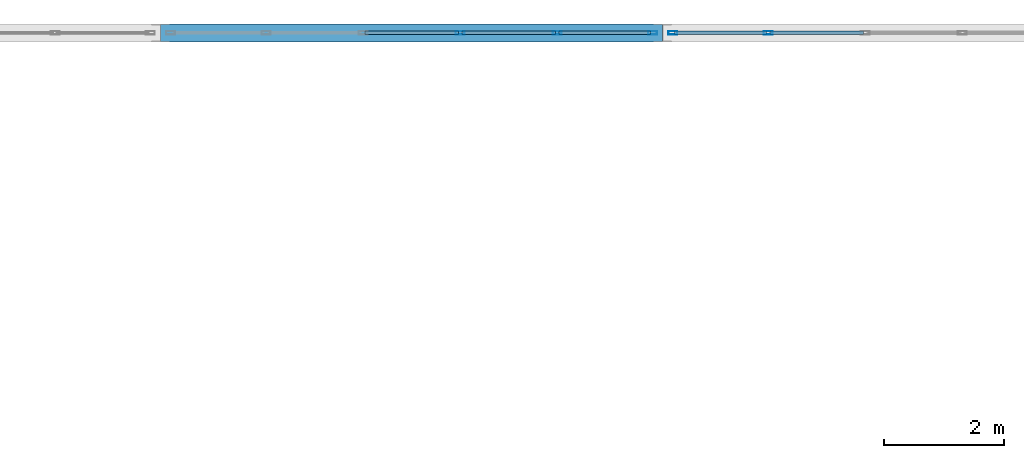
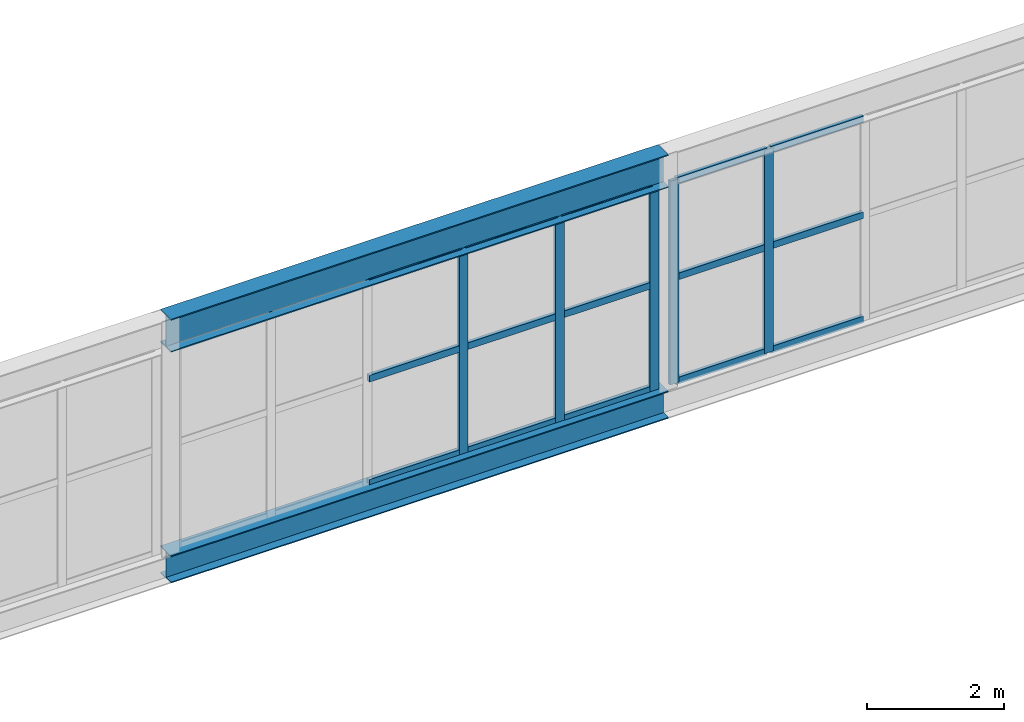
# One storey, part 165 of 218: 20 members, 2 beams, 2 elements without a shape of their own.
"""IFC4 building model written with IfcOpenShell, lengths in metres."""

from ifc_helpers import new_model, si_unit, direction, frame, origin, origin_2d, place, context, subcontext, project, spatial, hollow_rectangle, i_section, extrude, material, material_profile, profile_set, type_object, element, aggregate, save


model = new_model("IFC4")

# Units and contexts
model_context = context("Model", 3, precision=1e-05, world=origin(), true_north=direction((0.0, 1.0)))
body_context = subcontext(model_context, "Body", "Model", "MODEL_VIEW")
ifc_project = project(units=[si_unit("LENGTHUNIT", "METRE"), si_unit("AREAUNIT", "SQUARE_METRE"), si_unit("VOLUMEUNIT", "CUBIC_METRE"), si_unit("PLANEANGLEUNIT", "RADIAN"), si_unit("MASSUNIT", "GRAM", prefix="KILO")], contexts=[model_context])

# Site, building, storey
site_placement = place(None, origin())
site = spatial("IfcSite", under=ifc_project, at=site_placement, CompositionType="ELEMENT")
building_placement = place(site_placement, origin())
building = spatial("IfcBuilding", under=site, at=building_placement, Name="Kazenagashi Tramway Depot", CompositionType="ELEMENT")
storey_placement = place(building_placement, frame((0.0, 0.0, 6.0)))
storey = spatial("IfcBuildingStorey", under=building, at=storey_placement, Name="L02", CompositionType="ELEMENT", Elevation=6.0)

# Curtain wall, members
ifc_material_1 = material(Name="Anodised Aluminium and Low-E Glazing", Category="aluminium")
curtain_wall_type = type_object("IfcCurtainWallType", Name="CW-15", PredefinedType="USERDEFINED", material=ifc_material_1)
curtain_wall_1_placement = place(storey_placement, origin())
curtain_wall_1 = element("IfcCurtainWall", 1, at=curtain_wall_1_placement, inside=storey, type_object=curtain_wall_type, Name="Industrial Glazed Screen CW-15 CW-0068", ObjectType="GLAZED SCREEN", PredefinedType="USERDEFINED")
ifc_material_2 = material(Name="Anodised Aluminium", Category="aluminium")
ifc_material_profile_1 = material_profile(ifc_material_2, hollow_rectangle(XDim=0.06, YDim=0.15, WallThickness=0.004, at=origin_2d()), Name="RHS-150x60x4")
ifc_profile_set_1 = profile_set([ifc_material_profile_1], Name="Anodised Aluminium")
member_type_1 = type_object("IfcMemberType", Name="ML-01", PredefinedType="MULLION", material=ifc_profile_set_1)
member_1_placement = place(storey_placement, frame((91.812, 130.0, -0.02), z_axis=(0.0, 0.0, 1.0), x_axis=(0.0, 1.0, 0.0)))
member_1 = element("IfcMember", 2, at=member_1_placement, type_object=member_type_1, Name="CW-15 mullion 4", PredefinedType="MULLION", context=body_context, shape_type="SweptSolid", body=[
    extrude(hollow_rectangle(XDim=0.06, YDim=0.15, WallThickness=0.004, at=origin_2d()), origin(), (0.0, 0.0, 1.0), 3.632),
])
member_2_placement = place(storey_placement, frame((93.436, 130.0, -0.02), z_axis=(0.0, 0.0, 1.0), x_axis=(0.0, 1.0, 0.0)))
member_2 = element("IfcMember", 3, at=member_2_placement, type_object=member_type_1, Name="CW-15 mullion 5", PredefinedType="MULLION", context=body_context, shape_type="SweptSolid", body=[
    extrude(hollow_rectangle(XDim=0.06, YDim=0.15, WallThickness=0.004, at=origin_2d()), origin(), (0.0, 0.0, 1.0), 3.632),
])
member_3_placement = place(storey_placement, frame((95.03, 130.0, -0.02), z_axis=(0.0, 0.0, 1.0), x_axis=(0.0, 1.0, 0.0)))
member_3 = element("IfcMember", 4, at=member_3_placement, type_object=member_type_1, Name="CW-15 mullion 6", PredefinedType="MULLION", context=body_context, shape_type="SweptSolid", body=[
    extrude(hollow_rectangle(XDim=0.06, YDim=0.15, WallThickness=0.004, at=origin_2d()), origin(), (0.0, 0.0, 1.0), 3.632),
])

curtain_wall_2_placement = place(storey_placement, origin())
curtain_wall_2 = element("IfcCurtainWall", 5, at=curtain_wall_2_placement, inside=storey, type_object=curtain_wall_type, Name="Industrial Glazed Screen CW-15 CW-0071", ObjectType="GLAZED SCREEN", PredefinedType="USERDEFINED")
member_4_placement = place(storey_placement, frame((95.37, 130.0, -0.02), z_axis=(0.0, 0.0, 1.0), x_axis=(0.0, 1.0, 0.0)))
member_4 = element("IfcMember", 6, at=member_4_placement, type_object=member_type_1, Name="CW-15 mullion 1", PredefinedType="MULLION", context=body_context, shape_type="SweptSolid", body=[
    extrude(hollow_rectangle(XDim=0.06, YDim=0.15, WallThickness=0.004, at=origin_2d()), origin(), (0.0, 0.0, 1.0), 3.632),
])
member_5_placement = place(storey_placement, frame((96.964, 130.0, -0.02), z_axis=(0.0, 0.0, 1.0), x_axis=(0.0, 1.0, 0.0)))
member_5 = element("IfcMember", 7, at=member_5_placement, type_object=member_type_1, Name="CW-15 mullion 2", PredefinedType="MULLION", context=body_context, shape_type="SweptSolid", body=[
    extrude(hollow_rectangle(XDim=0.06, YDim=0.15, WallThickness=0.004, at=origin_2d()), origin(), (0.0, 0.0, 1.0), 3.632),
])

# Beams
ifc_material_3 = material(Name="Steel SN490B", Category="steel")
ifc_material_profile_2 = material_profile(ifc_material_3, i_section(OverallWidth=0.3, OverallDepth=0.588, WebThickness=0.012, FlangeThickness=0.02, at=origin_2d()), Name="H-588x300x12x20")
ifc_profile_set_2 = profile_set([ifc_material_profile_2], Name="Steel SN490B")
beam_type_1 = type_object("IfcBeamType", Name="SP-01", PredefinedType="SPANDREL", material=ifc_profile_set_2)
beam_1_placement = place(storey_placement, frame((86.8, 130.0, 3.906), z_axis=(1.0, 0.0, 0.0), x_axis=(0.0, 1.0, 0.0)))
element("IfcBeam", 8, at=beam_1_placement, inside=storey, type_object=beam_type_1, Name="Beam SP-01 BM-1885", PredefinedType="SPANDREL", context=body_context, shape_type="SweptSolid", body=[
    extrude(i_section(OverallWidth=0.3, OverallDepth=0.588, WebThickness=0.012, FlangeThickness=0.02, at=origin_2d()), origin(), (0.0, 0.0, 1.0), 8.4),
])
ifc_material_profile_3 = material_profile(ifc_material_3, i_section(OverallWidth=0.3, OverallDepth=0.488, WebThickness=0.011, FlangeThickness=0.018, at=origin_2d()), Name="H-488x300x11x18")
ifc_profile_set_3 = profile_set([ifc_material_profile_3], Name="Steel SN490B")
beam_type_2 = type_object("IfcBeamType", Name="SP-02", PredefinedType="SPANDREL", material=ifc_profile_set_3)
beam_2_placement = place(storey_placement, frame((86.8, 130.0, -0.264), z_axis=(1.0, 0.0, 0.0), x_axis=(0.0, 1.0, 0.0)))
element("IfcBeam", 9, at=beam_2_placement, inside=storey, type_object=beam_type_2, Name="Beam SP-02 BM-1829", PredefinedType="SPANDREL", context=body_context, shape_type="SweptSolid", body=[
    extrude(i_section(OverallWidth=0.3, OverallDepth=0.488, WebThickness=0.011, FlangeThickness=0.018, at=origin_2d()), origin(), (0.0, 0.0, 1.0), 8.4),
])

# Member
ifc_material_profile_4 = material_profile(ifc_material_2, hollow_rectangle(XDim=0.06, YDim=0.12, WallThickness=0.004, at=origin_2d()), Name="RHS-120x60x4")
ifc_profile_set_4 = profile_set([ifc_material_profile_4], Name="Anodised Aluminium")
member_type_2 = type_object("IfcMemberType", Name="TR-01", PredefinedType="USERDEFINED", material=ifc_profile_set_4)
member_6_placement = place(storey_placement, frame((90.218, 130.0, 0.01), z_axis=(1.0, 0.0, 0.0), x_axis=(0.0, 1.0, 0.0)))
member_6 = element("IfcMember", 10, at=member_6_placement, type_object=member_type_2, Name="CW-15 transom 3.1", ObjectType="TRANSOM", PredefinedType="USERDEFINED", context=body_context, shape_type="SweptSolid", body=[
    extrude(hollow_rectangle(XDim=0.06, YDim=0.12, WallThickness=0.004, at=origin_2d()), origin(), (0.0, 0.0, 1.0), 1.564),
])

member_7_placement = place(storey_placement, frame((90.218, 130.0, 1.869), z_axis=(1.0, 0.0, 0.0), x_axis=(0.0, 1.0, 0.0)))
member_7 = element("IfcMember", 11, at=member_7_placement, type_object=member_type_2, Name="CW-15 transom 3.2", ObjectType="TRANSOM", PredefinedType="USERDEFINED", context=body_context, shape_type="SweptSolid", body=[
    extrude(hollow_rectangle(XDim=0.06, YDim=0.12, WallThickness=0.004, at=origin_2d()), origin(), (0.0, 0.0, 1.0), 1.564),
])

member_8_placement = place(storey_placement, frame((90.218, 130.0, 3.582), z_axis=(1.0, 0.0, 0.0), x_axis=(0.0, 1.0, 0.0)))
member_8 = element("IfcMember", 12, at=member_8_placement, type_object=member_type_2, Name="CW-15 transom 3.3", ObjectType="TRANSOM", PredefinedType="USERDEFINED", context=body_context, shape_type="SweptSolid", body=[
    extrude(hollow_rectangle(XDim=0.06, YDim=0.12, WallThickness=0.004, at=origin_2d()), origin(), (0.0, 0.0, 1.0), 1.564),
])

member_9_placement = place(storey_placement, frame((91.842, 130.0, 0.01), z_axis=(1.0, 0.0, 0.0), x_axis=(0.0, 1.0, 0.0)))
member_9 = element("IfcMember", 13, at=member_9_placement, type_object=member_type_2, Name="CW-15 transom 4.1", ObjectType="TRANSOM", PredefinedType="USERDEFINED", context=body_context, shape_type="SweptSolid", body=[
    extrude(hollow_rectangle(XDim=0.06, YDim=0.12, WallThickness=0.004, at=origin_2d()), origin(), (0.0, 0.0, 1.0), 1.564),
])

member_10_placement = place(storey_placement, frame((91.842, 130.0, 1.869), z_axis=(1.0, 0.0, 0.0), x_axis=(0.0, 1.0, 0.0)))
member_10 = element("IfcMember", 14, at=member_10_placement, type_object=member_type_2, Name="CW-15 transom 4.2", ObjectType="TRANSOM", PredefinedType="USERDEFINED", context=body_context, shape_type="SweptSolid", body=[
    extrude(hollow_rectangle(XDim=0.06, YDim=0.12, WallThickness=0.004, at=origin_2d()), origin(), (0.0, 0.0, 1.0), 1.564),
])

member_11_placement = place(storey_placement, frame((91.842, 130.0, 3.582), z_axis=(1.0, 0.0, 0.0), x_axis=(0.0, 1.0, 0.0)))
member_11 = element("IfcMember", 15, at=member_11_placement, type_object=member_type_2, Name="CW-15 transom 4.3", ObjectType="TRANSOM", PredefinedType="USERDEFINED", context=body_context, shape_type="SweptSolid", body=[
    extrude(hollow_rectangle(XDim=0.06, YDim=0.12, WallThickness=0.004, at=origin_2d()), origin(), (0.0, 0.0, 1.0), 1.564),
])

member_12_placement = place(storey_placement, frame((93.466, 130.0, 0.01), z_axis=(1.0, 0.0, 0.0), x_axis=(0.0, 1.0, 0.0)))
member_12 = element("IfcMember", 16, at=member_12_placement, type_object=member_type_2, Name="CW-15 transom 5.1", ObjectType="TRANSOM", PredefinedType="USERDEFINED", context=body_context, shape_type="SweptSolid", body=[
    extrude(hollow_rectangle(XDim=0.06, YDim=0.12, WallThickness=0.004, at=origin_2d()), origin(), (0.0, 0.0, 1.0), 1.534),
])

member_13_placement = place(storey_placement, frame((93.466, 130.0, 1.869), z_axis=(1.0, 0.0, 0.0), x_axis=(0.0, 1.0, 0.0)))
member_13 = element("IfcMember", 17, at=member_13_placement, type_object=member_type_2, Name="CW-15 transom 5.2", ObjectType="TRANSOM", PredefinedType="USERDEFINED", context=body_context, shape_type="SweptSolid", body=[
    extrude(hollow_rectangle(XDim=0.06, YDim=0.12, WallThickness=0.004, at=origin_2d()), origin(), (0.0, 0.0, 1.0), 1.534),
])

member_14_placement = place(storey_placement, frame((93.466, 130.0, 3.582), z_axis=(1.0, 0.0, 0.0), x_axis=(0.0, 1.0, 0.0)))
member_14 = element("IfcMember", 18, at=member_14_placement, type_object=member_type_2, Name="CW-15 transom 5.3", ObjectType="TRANSOM", PredefinedType="USERDEFINED", context=body_context, shape_type="SweptSolid", body=[
    extrude(hollow_rectangle(XDim=0.06, YDim=0.12, WallThickness=0.004, at=origin_2d()), origin(), (0.0, 0.0, 1.0), 1.534),
])

aggregate(curtain_wall_1, [member_1, member_2, member_3, member_6, member_7, member_8, member_9, member_10, member_11, member_12, member_13, member_14])

member_15_placement = place(storey_placement, frame((95.4, 130.0, 0.01), z_axis=(1.0, 0.0, 0.0), x_axis=(0.0, 1.0, 0.0)))
member_15 = element("IfcMember", 19, at=member_15_placement, type_object=member_type_2, Name="CW-15 transom 1.1", ObjectType="TRANSOM", PredefinedType="USERDEFINED", context=body_context, shape_type="SweptSolid", body=[
    extrude(hollow_rectangle(XDim=0.06, YDim=0.12, WallThickness=0.004, at=origin_2d()), origin(), (0.0, 0.0, 1.0), 1.534),
])

member_16_placement = place(storey_placement, frame((95.4, 130.0, 1.869), z_axis=(1.0, 0.0, 0.0), x_axis=(0.0, 1.0, 0.0)))
member_16 = element("IfcMember", 20, at=member_16_placement, type_object=member_type_2, Name="CW-15 transom 1.2", ObjectType="TRANSOM", PredefinedType="USERDEFINED", context=body_context, shape_type="SweptSolid", body=[
    extrude(hollow_rectangle(XDim=0.06, YDim=0.12, WallThickness=0.004, at=origin_2d()), origin(), (0.0, 0.0, 1.0), 1.534),
])

member_17_placement = place(storey_placement, frame((95.4, 130.0, 3.582), z_axis=(1.0, 0.0, 0.0), x_axis=(0.0, 1.0, 0.0)))
member_17 = element("IfcMember", 21, at=member_17_placement, type_object=member_type_2, Name="CW-15 transom 1.3", ObjectType="TRANSOM", PredefinedType="USERDEFINED", context=body_context, shape_type="SweptSolid", body=[
    extrude(hollow_rectangle(XDim=0.06, YDim=0.12, WallThickness=0.004, at=origin_2d()), origin(), (0.0, 0.0, 1.0), 1.534),
])

member_18_placement = place(storey_placement, frame((96.994, 130.0, 0.01), z_axis=(1.0, 0.0, 0.0), x_axis=(0.0, 1.0, 0.0)))
member_18 = element("IfcMember", 22, at=member_18_placement, type_object=member_type_2, Name="CW-15 transom 2.1", ObjectType="TRANSOM", PredefinedType="USERDEFINED", context=body_context, shape_type="SweptSolid", body=[
    extrude(hollow_rectangle(XDim=0.06, YDim=0.12, WallThickness=0.004, at=origin_2d()), origin(), (0.0, 0.0, 1.0), 1.564),
])

member_19_placement = place(storey_placement, frame((96.994, 130.0, 1.869), z_axis=(1.0, 0.0, 0.0), x_axis=(0.0, 1.0, 0.0)))
member_19 = element("IfcMember", 23, at=member_19_placement, type_object=member_type_2, Name="CW-15 transom 2.2", ObjectType="TRANSOM", PredefinedType="USERDEFINED", context=body_context, shape_type="SweptSolid", body=[
    extrude(hollow_rectangle(XDim=0.06, YDim=0.12, WallThickness=0.004, at=origin_2d()), origin(), (0.0, 0.0, 1.0), 1.564),
])

member_20_placement = place(storey_placement, frame((96.994, 130.0, 3.582), z_axis=(1.0, 0.0, 0.0), x_axis=(0.0, 1.0, 0.0)))
member_20 = element("IfcMember", 24, at=member_20_placement, type_object=member_type_2, Name="CW-15 transom 2.3", ObjectType="TRANSOM", PredefinedType="USERDEFINED", context=body_context, shape_type="SweptSolid", body=[
    extrude(hollow_rectangle(XDim=0.06, YDim=0.12, WallThickness=0.004, at=origin_2d()), origin(), (0.0, 0.0, 1.0), 1.564),
])

aggregate(curtain_wall_2, [member_4, member_5, member_15, member_16, member_17, member_18, member_19, member_20])

save(model, "model.ifc")
